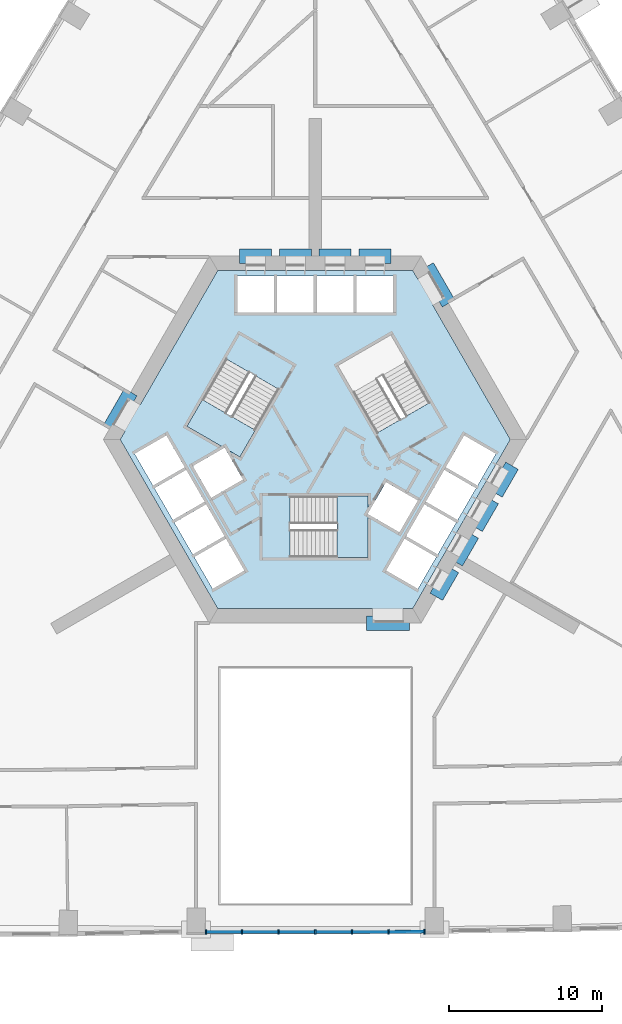
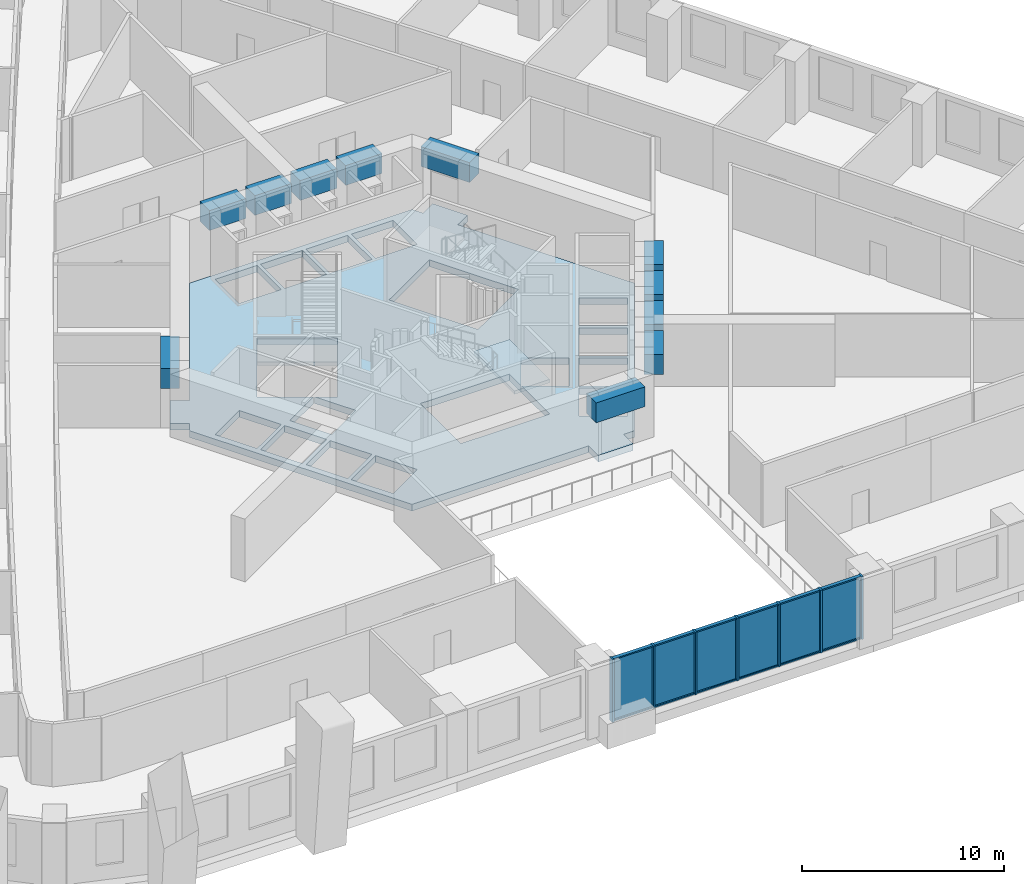
# One storey, part 2 of 17: 19 members, 11 beams, 6 plates, 3 slabs, 3 elements without a shape of their own.
"""IFC4 building model written with IfcOpenShell, lengths in metres."""

from ifc_helpers import new_model, si_unit, direction, frame, origin, origin_2d, place, context, subcontext, project, spatial, polyline, rectangle, outline, extrude, material, layer, layer_set, material_profile, profile_set, type_object, element, aggregate, save


model = new_model("IFC4")

# Units and contexts
model_context = context("Model", 3, precision=1e-05, world=origin(), true_north=direction((0.0, 1.0)))
body_context = subcontext(model_context, "Body", "Model", "MODEL_VIEW")
ifc_project = project(units=[si_unit("LENGTHUNIT", "METRE"), si_unit("AREAUNIT", "SQUARE_METRE"), si_unit("VOLUMEUNIT", "CUBIC_METRE"), si_unit("PLANEANGLEUNIT", "RADIAN"), si_unit("MASSUNIT", "GRAM", prefix="KILO")], contexts=[model_context])

# Site, building, storey
site_placement = place(None, origin())
site = spatial("IfcSite", under=ifc_project, at=site_placement, CompositionType="ELEMENT")
building_placement = place(site_placement, origin())
building = spatial("IfcBuilding", under=site, at=building_placement, Name="Entoto Arch Interchange Tower", CompositionType="ELEMENT")
storey_placement = place(building_placement, frame((0.0, 0.0, 72.800048828125)))
storey = spatial("IfcBuildingStorey", under=building, at=storey_placement, Name="L15", CompositionType="ELEMENT", Elevation=72.800048828125)

# Beams
ifc_material_1 = material(Name="Concrete C60/75", Category="concrete")
ifc_material_profile_1 = material_profile(ifc_material_1, rectangle(XDim=0.949951171875, YDim=1.199951171875, at=origin_2d()))
ifc_profile_set_1 = profile_set([ifc_material_profile_1], Name="Concrete C60/75")
beam_type = type_object("IfcBeamType", Name="Coupling beam RC 950x1200 C60/75", PredefinedType="BEAM", material=ifc_profile_set_1)
beam_1_placement = place(storey_placement, frame((8.717041015625, 11.402099609375, 3.0), z_axis=(-0.500200581029, 0.865909567298, 0.0), x_axis=(-0.865909567298, -0.500200581029, 0.0)))
element("IfcBeam", 1, at=beam_1_placement, inside=storey, type_object=beam_type, Name="Coupling beam NE L15", PredefinedType="BEAM", context=body_context, shape_type="SweptSolid", body=[
    extrude(rectangle(XDim=0.949951171875, YDim=1.199951171875, at=origin_2d()), origin(), (0.0, 0.0, 1.0), 2.799072265625),
])
beam_2_placement = place(storey_placement, frame((4.949951171875, 14.5, 3.0), z_axis=(-1.0, 0.0, 0.0), x_axis=(0.0, -1.0, 0.0)))
element("IfcBeam", 2, at=beam_2_placement, inside=storey, type_object=beam_type, Name="Coupling beam N L15", PredefinedType="BEAM", context=body_context, shape_type="SweptSolid", body=[
    extrude(rectangle(XDim=0.949951171875, YDim=1.199951171875, at=origin_2d()), origin(), (0.0, 0.0, 1.0), 2.099853515625),
])
for number, where, z_axis, x_axis, name in (
    (3, (2.35009765625, 14.5, 3.0), (-1.0, 0.0, 0.0), (0.0, -1.0, 0.0), "Coupling beam N L15"),
    (4, (-0.25, 14.5, 3.0), (-1.0, 0.0, 0.0), (0.0, -1.0, 0.0), "Coupling beam N L15"),
):
    element("IfcBeam", number, at=place(storey_placement, frame(where, z_axis=z_axis, x_axis=x_axis)), inside=storey, type_object=beam_type, Name=name, PredefinedType="BEAM", context=body_context, shape_type="SweptSolid", body=[
        extrude(rectangle(XDim=0.949951171875, YDim=1.199951171875, at=origin_2d()), origin(), (0.0, 0.0, 1.0), 2.10009765625),
    ])
beam_3_placement = place(storey_placement, frame((-2.85009765625, 14.5, 3.0), z_axis=(-1.0, 0.0, 0.0), x_axis=(0.0, -1.0, 0.0)))
element("IfcBeam", 5, at=beam_3_placement, inside=storey, type_object=beam_type, Name="Coupling beam N L15", PredefinedType="BEAM", context=body_context, shape_type="SweptSolid", body=[
    extrude(rectangle(XDim=0.949951171875, YDim=1.199951171875, at=origin_2d()), origin(), (0.0, 0.0, 1.0), 2.099853515625),
])
beam_4_placement = place(storey_placement, frame((-12.06689453125, 5.597900390625, 3.0), z_axis=(-0.500200581029, -0.865909567298, 0.0), x_axis=(0.865909567298, -0.500200581029, 0.0)))
element("IfcBeam", 6, at=beam_4_placement, inside=storey, type_object=beam_type, Name="Coupling beam NW L15", PredefinedType="BEAM", context=body_context, shape_type="SweptSolid", body=[
    extrude(rectangle(XDim=0.949951171875, YDim=1.199951171875, at=origin_2d()), origin(), (0.0, 0.0, 1.0), 2.799072265625),
])
beam_5_placement = place(storey_placement, frame((3.35009765625, -9.5, 3.0), z_axis=(1.0, 0.0, 0.0), x_axis=(0.0, 1.0, 0.0)))
element("IfcBeam", 7, at=beam_5_placement, inside=storey, type_object=beam_type, Name="Coupling beam S L15", PredefinedType="BEAM", context=body_context, shape_type="SweptSolid", body=[
    extrude(rectangle(XDim=0.949951171875, YDim=1.199951171875, at=origin_2d()), origin(), (0.0, 0.0, 1.0), 2.7998046875),
])
for number, where, z_axis, x_axis, name in (
    (8, (7.9169921875, -7.785888671875, 3.0), (0.500178781653, 0.865922159541, 0.0), (-0.865922159541, 0.500178781653, 0.0), "Coupling beam SE L15"),
    (9, (9.217041015625, -5.534912109375, 3.0), (0.500178781653, 0.865922159541, 0.0), (-0.865922159541, 0.500178781653, 0.0), "Coupling beam SE L15"),
):
    element("IfcBeam", number, at=place(storey_placement, frame(where, z_axis=z_axis, x_axis=x_axis)), inside=storey, type_object=beam_type, Name=name, PredefinedType="BEAM", context=body_context, shape_type="SweptSolid", body=[
        extrude(rectangle(XDim=0.949951171875, YDim=1.199951171875, at=origin_2d()), origin(), (0.0, 0.0, 1.0), 2.099365234375),
    ])
beam_6_placement = place(storey_placement, frame((10.51708984375, -3.282958984375, 3.0), z_axis=(0.500091574638, 0.865972526687, 0.0), x_axis=(-0.865972526687, 0.500091574638, 0.0)))
element("IfcBeam", 10, at=beam_6_placement, inside=storey, type_object=beam_type, Name="Coupling beam SE L15", PredefinedType="BEAM", context=body_context, shape_type="SweptSolid", body=[
    extrude(rectangle(XDim=0.949951171875, YDim=1.199951171875, at=origin_2d()), origin(), (0.0, 0.0, 1.0), 2.09912109375),
])
beam_7_placement = place(storey_placement, frame((11.81689453125, -1.031982421875, 3.0), z_axis=(0.500178781653, 0.865922159541, 0.0), x_axis=(-0.865922159541, 0.500178781653, 0.0)))
element("IfcBeam", 11, at=beam_7_placement, inside=storey, type_object=beam_type, Name="Coupling beam SE L15", PredefinedType="BEAM", context=body_context, shape_type="SweptSolid", body=[
    extrude(rectangle(XDim=0.949951171875, YDim=1.199951171875, at=origin_2d()), origin(), (0.0, 0.0, 1.0), 2.099365234375),
])

# Curtain wall, members
ifc_material_2 = material(Name="Aluminium, anodised", Category="aluminium")
curtain_wall_type = type_object("IfcCurtainWallType", Name="CURTAIN WALL ATRIUM", PredefinedType="NOTDEFINED", material=ifc_material_2)
curtain_wall_placement = place(storey_placement, origin())
curtain_wall = element("IfcCurtainWall", 12, at=curtain_wall_placement, inside=storey, type_object=curtain_wall_type, Name="Atrium glazing S-04 L15", PredefinedType="NOTDEFINED")
ifc_material_profile_2 = material_profile(ifc_material_2, rectangle(XDim=0.300048828125, YDim=0.10009765625, at=origin_2d()))
ifc_profile_set_2 = profile_set([ifc_material_profile_2], Name="Aluminium, anodised")
member_type_1 = type_object("IfcMemberType", Name="MULLION ATRIUM 100x300", PredefinedType="MULLION", material=ifc_profile_set_2)
member_1_placement = place(storey_placement, frame((-7.14794921875, -29.719970703125, 0.0), z_axis=(0.0, 0.0, 1.0), x_axis=(-0.002222834181, 0.999997529501, 0.0)))
member_1 = element("IfcMember", 13, at=member_1_placement, type_object=member_type_1, Name="CWA mullion 1", PredefinedType="MULLION", context=body_context, shape_type="SweptSolid", body=[
    extrude(rectangle(XDim=0.300048828125, YDim=0.10009765625, at=origin_2d()), origin(), (0.0, 0.0, 1.0), 3.800048828125),
])
member_2_placement = place(storey_placement, frame((-4.798583984375, -29.714599609375, 0.0), z_axis=(0.0, 0.0, 1.0), x_axis=(-0.002222834181, 0.999997529501, 0.0)))
member_2 = element("IfcMember", 14, at=member_2_placement, type_object=member_type_1, Name="CWA mullion 2", PredefinedType="MULLION", context=body_context, shape_type="SweptSolid", body=[
    extrude(rectangle(XDim=0.300048828125, YDim=0.10009765625, at=origin_2d()), origin(), (0.0, 0.0, 1.0), 3.800048828125),
])
member_3_placement = place(storey_placement, frame((-2.3994140625, -29.709228515625, 0.0), z_axis=(0.0, 0.0, 1.0), x_axis=(-0.002222834181, 0.999997529501, 0.0)))
member_3 = element("IfcMember", 15, at=member_3_placement, type_object=member_type_1, Name="CWA mullion 3", PredefinedType="MULLION", context=body_context, shape_type="SweptSolid", body=[
    extrude(rectangle(XDim=0.300048828125, YDim=0.10009765625, at=origin_2d()), origin(), (0.0, 0.0, 1.0), 3.800048828125),
])
member_4_placement = place(storey_placement, frame((0.0, -29.7041015625, 0.0), z_axis=(0.0, 0.0, 1.0), x_axis=(-0.002222834181, 0.999997529501, 0.0)))
member_4 = element("IfcMember", 16, at=member_4_placement, type_object=member_type_1, Name="CWA mullion 4", PredefinedType="MULLION", context=body_context, shape_type="SweptSolid", body=[
    extrude(rectangle(XDim=0.300048828125, YDim=0.10009765625, at=origin_2d()), origin(), (0.0, 0.0, 1.0), 3.800048828125),
])
member_5_placement = place(storey_placement, frame((2.3994140625, -29.69873046875, 0.0), z_axis=(0.0, 0.0, 1.0), x_axis=(-0.002222834181, 0.999997529501, 0.0)))
member_5 = element("IfcMember", 17, at=member_5_placement, type_object=member_type_1, Name="CWA mullion 5", PredefinedType="MULLION", context=body_context, shape_type="SweptSolid", body=[
    extrude(rectangle(XDim=0.300048828125, YDim=0.10009765625, at=origin_2d()), origin(), (0.0, 0.0, 1.0), 3.800048828125),
])
member_6_placement = place(storey_placement, frame((4.798583984375, -29.693359375, 0.0), z_axis=(0.0, 0.0, 1.0), x_axis=(-0.002222834181, 0.999997529501, 0.0)))
member_6 = element("IfcMember", 18, at=member_6_placement, type_object=member_type_1, Name="CWA mullion 6", PredefinedType="MULLION", context=body_context, shape_type="SweptSolid", body=[
    extrude(rectangle(XDim=0.300048828125, YDim=0.10009765625, at=origin_2d()), origin(), (0.0, 0.0, 1.0), 3.800048828125),
])
member_7_placement = place(storey_placement, frame((7.14794921875, -29.688232421875, 0.0), z_axis=(0.0, 0.0, 1.0), x_axis=(-0.002222834181, 0.999997529501, 0.0)))
member_7 = element("IfcMember", 19, at=member_7_placement, type_object=member_type_1, Name="CWA mullion 7", PredefinedType="MULLION", context=body_context, shape_type="SweptSolid", body=[
    extrude(rectangle(XDim=0.300048828125, YDim=0.10009765625, at=origin_2d()), origin(), (0.0, 0.0, 1.0), 3.800048828125),
])
ifc_material_profile_3 = material_profile(ifc_material_2, rectangle(XDim=0.199951171875, YDim=0.080078125, at=origin_2d()))
ifc_profile_set_3 = profile_set([ifc_material_profile_3], Name="Aluminium, anodised")
member_type_2 = type_object("IfcMemberType", Name="TRANSOM ATRIUM 80x200", PredefinedType="USERDEFINED", material=ifc_profile_set_3)
member_8_placement = place(storey_placement, frame((-7.097900390625, -29.7197265625, 0.0400390625), z_axis=(0.999997643723, 0.002170840429, 0.0), x_axis=(-0.002170840429, 0.999997643723, 0.0)))
member_8 = element("IfcMember", 20, at=member_8_placement, type_object=member_type_2, Name="CWA transom 1.1", ObjectType="TRANSOM", PredefinedType="USERDEFINED", context=body_context, shape_type="SweptSolid", body=[
    extrude(rectangle(XDim=0.199951171875, YDim=0.080078125, at=origin_2d()), origin(), (0.0, 0.0, 1.0), 2.249267578125),
])
member_9_placement = place(storey_placement, frame((-7.097900390625, -29.7197265625, 3.760009765625), z_axis=(0.999997643723, 0.002170840429, 0.0), x_axis=(-0.002170840429, 0.999997643723, 0.0)))
member_9 = element("IfcMember", 21, at=member_9_placement, type_object=member_type_2, Name="CWA transom 1.2", ObjectType="TRANSOM", PredefinedType="USERDEFINED", context=body_context, shape_type="SweptSolid", body=[
    extrude(rectangle(XDim=0.199951171875, YDim=0.080078125, at=origin_2d()), origin(), (0.0, 0.0, 1.0), 2.249267578125),
])
member_10_placement = place(storey_placement, frame((-4.748779296875, -29.714599609375, 0.0400390625), z_axis=(0.999997514594, 0.002229530503, 0.0), x_axis=(-0.002229530503, 0.999997514594, 0.0)))
member_10 = element("IfcMember", 22, at=member_10_placement, type_object=member_type_2, Name="CWA transom 2.1", ObjectType="TRANSOM", PredefinedType="USERDEFINED", context=body_context, shape_type="SweptSolid", body=[
    extrude(rectangle(XDim=0.199951171875, YDim=0.080078125, at=origin_2d()), origin(), (0.0, 0.0, 1.0), 2.299560546875),
])
member_11_placement = place(storey_placement, frame((-4.748779296875, -29.714599609375, 3.760009765625), z_axis=(0.999997514594, 0.002229530503, 0.0), x_axis=(-0.002229530503, 0.999997514594, 0.0)))
member_11 = element("IfcMember", 23, at=member_11_placement, type_object=member_type_2, Name="CWA transom 2.2", ObjectType="TRANSOM", PredefinedType="USERDEFINED", context=body_context, shape_type="SweptSolid", body=[
    extrude(rectangle(XDim=0.199951171875, YDim=0.080078125, at=origin_2d()), origin(), (0.0, 0.0, 1.0), 2.299560546875),
])
member_12_placement = place(storey_placement, frame((-2.349365234375, -29.709228515625, 0.0400390625), z_axis=(0.999997514066, 0.002229767232, 0.0), x_axis=(-0.002229767232, 0.999997514066, 0.0)))
member_12 = element("IfcMember", 24, at=member_12_placement, type_object=member_type_2, Name="CWA transom 3.1", ObjectType="TRANSOM", PredefinedType="USERDEFINED", context=body_context, shape_type="SweptSolid", body=[
    extrude(rectangle(XDim=0.199951171875, YDim=0.080078125, at=origin_2d()), origin(), (0.0, 0.0, 1.0), 2.29931640625),
])
member_13_placement = place(storey_placement, frame((-2.349365234375, -29.709228515625, 3.760009765625), z_axis=(0.999997514066, 0.002229767232, 0.0), x_axis=(-0.002229767232, 0.999997514066, 0.0)))
member_13 = element("IfcMember", 25, at=member_13_placement, type_object=member_type_2, Name="CWA transom 3.2", ObjectType="TRANSOM", PredefinedType="USERDEFINED", context=body_context, shape_type="SweptSolid", body=[
    extrude(rectangle(XDim=0.199951171875, YDim=0.080078125, at=origin_2d()), origin(), (0.0, 0.0, 1.0), 2.29931640625),
])
member_14_placement = place(storey_placement, frame((0.050048828125, -29.703857421875, 0.0400390625), z_axis=(0.999997514066, 0.002229767232, 0.0), x_axis=(-0.002229767232, 0.999997514066, 0.0)))
member_14 = element("IfcMember", 26, at=member_14_placement, type_object=member_type_2, Name="CWA transom 4.1", ObjectType="TRANSOM", PredefinedType="USERDEFINED", context=body_context, shape_type="SweptSolid", body=[
    extrude(rectangle(XDim=0.199951171875, YDim=0.080078125, at=origin_2d()), origin(), (0.0, 0.0, 1.0), 2.29931640625),
])
member_15_placement = place(storey_placement, frame((0.050048828125, -29.703857421875, 3.760009765625), z_axis=(0.999997514066, 0.002229767232, 0.0), x_axis=(-0.002229767232, 0.999997514066, 0.0)))
member_15 = element("IfcMember", 27, at=member_15_placement, type_object=member_type_2, Name="CWA transom 4.2", ObjectType="TRANSOM", PredefinedType="USERDEFINED", context=body_context, shape_type="SweptSolid", body=[
    extrude(rectangle(XDim=0.199951171875, YDim=0.080078125, at=origin_2d()), origin(), (0.0, 0.0, 1.0), 2.29931640625),
])
member_16_placement = place(storey_placement, frame((2.44921875, -29.698486328125, 0.0400390625), z_axis=(0.999997514594, 0.002229530503, 0.0), x_axis=(-0.002229530503, 0.999997514594, 0.0)))
member_16 = element("IfcMember", 28, at=member_16_placement, type_object=member_type_2, Name="CWA transom 5.1", ObjectType="TRANSOM", PredefinedType="USERDEFINED", context=body_context, shape_type="SweptSolid", body=[
    extrude(rectangle(XDim=0.199951171875, YDim=0.080078125, at=origin_2d()), origin(), (0.0, 0.0, 1.0), 2.299560546875),
])
member_17_placement = place(storey_placement, frame((2.44921875, -29.698486328125, 3.760009765625), z_axis=(0.999997514594, 0.002229530503, 0.0), x_axis=(-0.002229530503, 0.999997514594, 0.0)))
member_17 = element("IfcMember", 29, at=member_17_placement, type_object=member_type_2, Name="CWA transom 5.2", ObjectType="TRANSOM", PredefinedType="USERDEFINED", context=body_context, shape_type="SweptSolid", body=[
    extrude(rectangle(XDim=0.199951171875, YDim=0.080078125, at=origin_2d()), origin(), (0.0, 0.0, 1.0), 2.299560546875),
])
member_18_placement = place(storey_placement, frame((4.8486328125, -29.693115234375, 0.0400390625), z_axis=(0.999997643723, 0.002170840429, 0.0), x_axis=(-0.002170840429, 0.999997643723, 0.0)))
member_18 = element("IfcMember", 30, at=member_18_placement, type_object=member_type_2, Name="CWA transom 6.1", ObjectType="TRANSOM", PredefinedType="USERDEFINED", context=body_context, shape_type="SweptSolid", body=[
    extrude(rectangle(XDim=0.199951171875, YDim=0.080078125, at=origin_2d()), origin(), (0.0, 0.0, 1.0), 2.249267578125),
])
member_19_placement = place(storey_placement, frame((4.8486328125, -29.693115234375, 3.760009765625), z_axis=(0.999997643723, 0.002170840429, 0.0), x_axis=(-0.002170840429, 0.999997643723, 0.0)))
member_19 = element("IfcMember", 31, at=member_19_placement, type_object=member_type_2, Name="CWA transom 6.2", ObjectType="TRANSOM", PredefinedType="USERDEFINED", context=body_context, shape_type="SweptSolid", body=[
    extrude(rectangle(XDim=0.199951171875, YDim=0.080078125, at=origin_2d()), origin(), (0.0, 0.0, 1.0), 2.249267578125),
])

# Slab
ifc_material_3 = material(Name="Concrete C40/50", Category="concrete")
ifc_layer_1 = layer(ifc_material_3, 0.39990234375)
ifc_layer_set_1 = layer_set([ifc_layer_1], Name="Concrete C40/50")
slab_type_1 = type_object("IfcSlabType", Name="Core floor slab 400 C40/50", PredefinedType="FLOOR", material=ifc_layer_set_1)
slab_1_placement = place(storey_placement, frame((0.0, 0.0, -0.400146484375)))
element("IfcSlab", 32, at=slab_1_placement, inside=storey, type_object=slab_type_1, Name="Core floor slab L15", PredefinedType="FLOOR", context=body_context, shape_type="SweptSolid", body=[
    extrude(outline(polyline([(5.75, -9.5), (3.75, -9.5), (3.75, -8.550048828125), (-6.3798828125, -8.550048828125), (-12.759033203125, 2.5), (-12.444091796875, 3.044921875), (-13.26708984375, 3.52001953125), (-12.26708984375, 5.251953125), (-11.444091796875, 4.777099609375), (-6.3798828125, 13.550048828125), (6.3798828125, 13.550048828125), (6.695068359375, 13.0048828125), (7.51708984375, 13.47998046875), (8.51708984375, 11.748046875), (7.694091796875, 11.27294921875), (12.759033203125, 2.5), (6.3798828125, -8.550048828125), (5.75, -8.550048828125), (5.75, -9.5)]), holes=[polyline([(-4.637939453125, -6.06689453125), (-5.837890625, -3.988037109375), (-7.916015625, -5.18798828125), (-6.716064453125, -7.26708984375), (-4.637939453125, -6.06689453125)]), polyline([(-5.93798828125, -3.81494140625), (-7.137939453125, -1.737060546875), (-9.216064453125, -2.93701171875), (-8.01611328125, -5.014892578125), (-5.93798828125, -3.81494140625)]), polyline([(5.5048828125, -3.56494140625), (6.705078125, -1.487060546875), (4.626953125, -0.287109375), (3.449951171875, -2.324951171875), (3.449951171875, -1.199951171875), (-1.64990234375, -1.199951171875), (-1.64990234375, -5.199951171875), (3.449951171875, -5.199951171875), (3.449951171875, -2.3779296875), (5.5048828125, -3.56494140625)]), polyline([(-7.238037109375, -1.56298828125), (-8.43798828125, 0.514892578125), (-10.51611328125, -0.68505859375), (-9.31591796875, -2.762939453125), (-7.238037109375, -1.56298828125)]), polyline([(-4.72705078125, -0.113037109375), (-5.904052734375, 1.925048828125), (-4.928955078125, 1.362060546875), (-2.37890625, 5.779052734375), (-5.843017578125, 7.779052734375), (-8.39306640625, 3.362060546875), (-5.949951171875, 1.951904296875), (-8.0048828125, 0.764892578125), (-6.804931640625, -1.31298828125), (-4.72705078125, -0.113037109375)]), polyline([(-8.5380859375, 0.68798828125), (-9.738037109375, 2.76708984375), (-11.81591796875, 1.56689453125), (-10.615966796875, -0.511962890625), (-8.5380859375, 0.68798828125)]), polyline([(-5.10009765625, 10.800048828125), (-2.699951171875, 10.800048828125), (-2.699951171875, 13.199951171875), (-5.10009765625, 13.199951171875), (-5.10009765625, 10.800048828125)]), polyline([(-2.5, 10.800048828125), (-0.10009765625, 10.800048828125), (-0.10009765625, 13.199951171875), (-2.5, 13.199951171875), (-2.5, 10.800048828125)]), polyline([(5.837890625, -3.988037109375), (4.637939453125, -6.06689453125), (6.716064453125, -7.26708984375), (7.916015625, -5.18798828125), (5.837890625, -3.988037109375)]), polyline([(7.137939453125, -1.737060546875), (5.93798828125, -3.81494140625), (8.01611328125, -5.014892578125), (9.216064453125, -2.93701171875), (7.137939453125, -1.737060546875)]), polyline([(8.43798828125, 0.514892578125), (7.238037109375, -1.56298828125), (9.31591796875, -2.762939453125), (10.51611328125, -0.68505859375), (8.43798828125, 0.514892578125)]), polyline([(9.738037109375, 2.76708984375), (8.5380859375, 0.68798828125), (10.615966796875, -0.511962890625), (11.81591796875, 1.56689453125), (9.738037109375, 2.76708984375)]), polyline([(4.029052734375, 2.9208984375), (7.492919921875, 4.9208984375), (4.943115234375, 9.337890625), (1.47900390625, 7.337890625), (4.029052734375, 2.9208984375)]), polyline([(0.10009765625, 13.199951171875), (0.10009765625, 10.800048828125), (2.5, 10.800048828125), (2.5, 13.199951171875), (0.10009765625, 13.199951171875)]), polyline([(2.699951171875, 13.199951171875), (2.699951171875, 10.800048828125), (5.10009765625, 10.800048828125), (5.10009765625, 13.199951171875), (2.699951171875, 13.199951171875)])]), origin(), (0.0, 0.0, 1.0), 0.400146484375),
])

# Stair, slab
stair_type = type_object("IfcStairType", Name="EXIT STAIR RC 1800", PredefinedType="HALF_TURN_STAIR", material=ifc_material_3)
stair_1_placement = place(storey_placement, origin())
stair_1 = element("IfcStair", 33, at=stair_1_placement, inside=storey, type_object=stair_type, Name="L15 Exit stair S", PredefinedType="HALF_TURN_STAIR")
ifc_layer_2 = layer(ifc_material_3, 0.199951171875)
ifc_layer_set_2 = layer_set([ifc_layer_2], Name="Concrete C40/50")
slab_type_2 = type_object("IfcSlabType", Name="EXIT STAIR LANDING RC 200", PredefinedType="LANDING", material=ifc_layer_set_2)
slab_2_placement = place(storey_placement, frame((0.0, 0.0, 1.89990234375)))
slab_2 = element("IfcSlab", 34, at=slab_2_placement, type_object=slab_type_2, Name="ST-S landing 1", PredefinedType="LANDING", context=body_context, shape_type="SweptSolid", body=[
    extrude(outline(polyline([(1.429931640625, -5.199951171875), (3.449951171875, -5.199951171875), (3.449951171875, -1.199951171875), (1.429931640625, -1.199951171875), (1.429931640625, -5.199951171875)])), origin(), (0.0, 0.0, 1.0), 0.199951171875),
])
aggregate(stair_1, [slab_2])

stair_2_placement = place(storey_placement, origin())
stair_2 = element("IfcStair", 35, at=stair_2_placement, inside=storey, type_object=stair_type, Name="L15 Exit stair NW", PredefinedType="HALF_TURN_STAIR")
slab_3_placement = place(storey_placement, frame((0.0, 0.0, 1.89990234375)))
slab_3 = element("IfcSlab", 36, at=slab_3_placement, type_object=slab_type_2, Name="ST-NW landing 1", PredefinedType="LANDING", context=body_context, shape_type="SweptSolid", body=[
    extrude(outline(polyline([(-7.38330078125, 5.111572265625), (-8.393310546875, 3.3623046875), (-4.92919921875, 1.3623046875), (-3.919189453125, 3.111572265625), (-7.38330078125, 5.111572265625)])), origin(), (0.0, 0.0, 1.0), 0.199951171875),
])
aggregate(stair_2, [slab_3])

# Plate
ifc_material_4 = material(Name="Clear glass, low-e double glazed", Category="glass")
ifc_layer_3 = layer(ifc_material_4, 0.031982421875)
ifc_layer_set_3 = layer_set([ifc_layer_3], Name="Clear glass, low-e double glazed")
plate_type = type_object("IfcPlateType", Name="GLAZING PANEL ATRIUM 32", PredefinedType="CURTAIN_PANEL", material=ifc_layer_set_3)
plate_1_placement = place(storey_placement, frame((-5.973388671875, -29.71728515625, 0.080078125), z_axis=(0.0, 0.0, 1.0), x_axis=(0.999997529501, 0.002222834181, 0.0)))
plate_1 = element("IfcPlate", 37, at=plate_1_placement, type_object=plate_type, Name="CWA panel 1.1", PredefinedType="CURTAIN_PANEL", context=body_context, shape_type="SweptSolid", body=[
    extrude(rectangle(XDim=2.249267578125, YDim=0.031982421875, at=origin_2d()), origin(), (0.0, 0.0, 1.0), 3.639892578125),
])

plate_2_placement = place(storey_placement, frame((-3.59912109375, -29.7119140625, 0.080078125), z_axis=(0.0, 0.0, 1.0), x_axis=(0.999997529501, 0.002222834181, 0.0)))
plate_2 = element("IfcPlate", 38, at=plate_2_placement, type_object=plate_type, Name="CWA panel 2.1", PredefinedType="CURTAIN_PANEL", context=body_context, shape_type="SweptSolid", body=[
    extrude(rectangle(XDim=2.29931640625, YDim=0.031982421875, at=origin_2d()), origin(), (0.0, 0.0, 1.0), 3.639892578125),
])

plate_3_placement = place(storey_placement, frame((-1.19970703125, -29.706787109375, 0.080078125), z_axis=(0.0, 0.0, 1.0), x_axis=(0.999997529501, 0.002222834181, 0.0)))
plate_3 = element("IfcPlate", 39, at=plate_3_placement, type_object=plate_type, Name="CWA panel 3.1", PredefinedType="CURTAIN_PANEL", context=body_context, shape_type="SweptSolid", body=[
    extrude(rectangle(XDim=2.29931640625, YDim=0.031982421875, at=origin_2d()), origin(), (0.0, 0.0, 1.0), 3.639892578125),
])

plate_4_placement = place(storey_placement, frame((1.19970703125, -29.701416015625, 0.080078125), z_axis=(0.0, 0.0, 1.0), x_axis=(0.999997529501, 0.002222834181, 0.0)))
plate_4 = element("IfcPlate", 40, at=plate_4_placement, type_object=plate_type, Name="CWA panel 4.1", PredefinedType="CURTAIN_PANEL", context=body_context, shape_type="SweptSolid", body=[
    extrude(rectangle(XDim=2.29931640625, YDim=0.031982421875, at=origin_2d()), origin(), (0.0, 0.0, 1.0), 3.639892578125),
])

plate_5_placement = place(storey_placement, frame((3.59912109375, -29.696044921875, 0.080078125), z_axis=(0.0, 0.0, 1.0), x_axis=(0.999997529501, 0.002222834181, 0.0)))
plate_5 = element("IfcPlate", 41, at=plate_5_placement, type_object=plate_type, Name="CWA panel 5.1", PredefinedType="CURTAIN_PANEL", context=body_context, shape_type="SweptSolid", body=[
    extrude(rectangle(XDim=2.29931640625, YDim=0.031982421875, at=origin_2d()), origin(), (0.0, 0.0, 1.0), 3.639892578125),
])

plate_6_placement = place(storey_placement, frame((5.973388671875, -29.690673828125, 0.080078125), z_axis=(0.0, 0.0, 1.0), x_axis=(0.999997529501, 0.002222834181, 0.0)))
plate_6 = element("IfcPlate", 42, at=plate_6_placement, type_object=plate_type, Name="CWA panel 6.1", PredefinedType="CURTAIN_PANEL", context=body_context, shape_type="SweptSolid", body=[
    extrude(rectangle(XDim=2.249267578125, YDim=0.031982421875, at=origin_2d()), origin(), (0.0, 0.0, 1.0), 3.639892578125),
])

aggregate(curtain_wall, [member_1, member_2, member_3, member_4, member_5, member_6, member_7, member_8, member_9, plate_1, member_10, member_11, plate_2, member_12, member_13, plate_3, member_14, member_15, plate_4, member_16, member_17, plate_5, member_18, member_19, plate_6])

save(model, "model.ifc")
